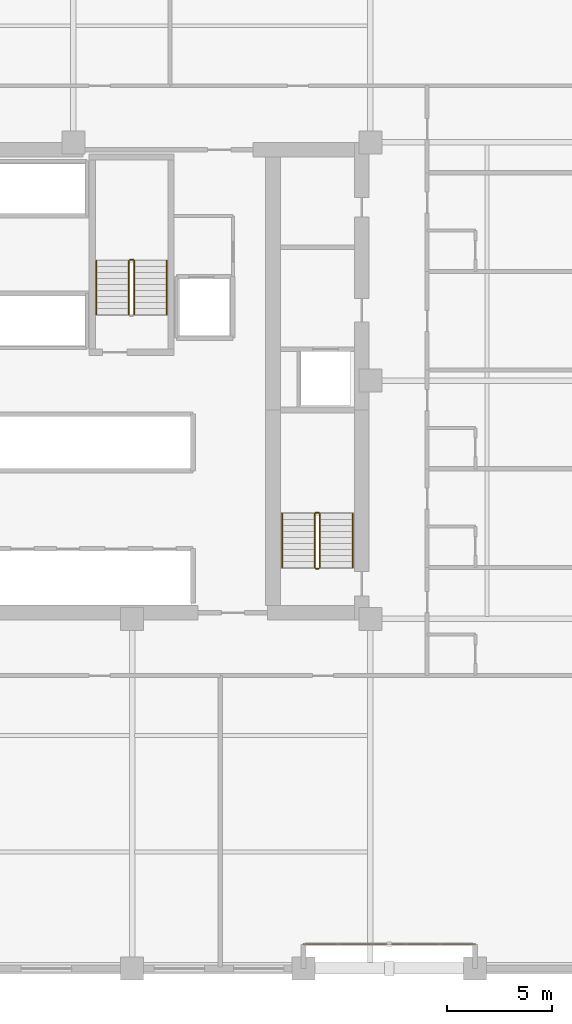
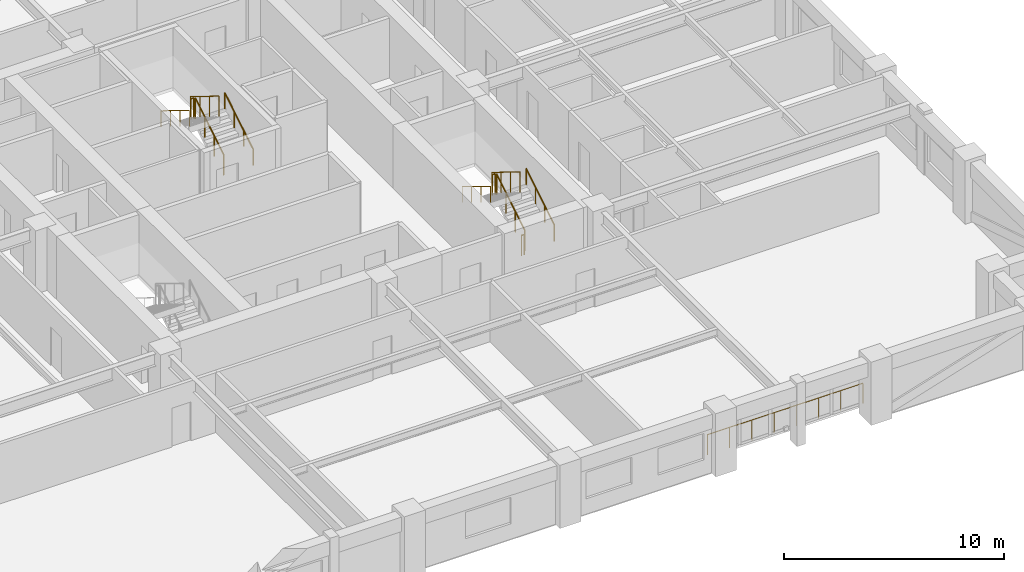
# One storey, part 9 of 9: 12 railings.
"""IFC4 building model written with IfcOpenShell, lengths in metres."""

from ifc_helpers import new_model, si_unit, direction, frame, origin, origin_2d, place, context, subcontext, project, spatial, circle, extrude, material, type_object, element, save


model = new_model("IFC4")

# Units and contexts
model_context = context("Model", 3, precision=1e-05, world=origin(), true_north=direction((0.0, 1.0)))
body_context = subcontext(model_context, "Body", "Model", "MODEL_VIEW")
ifc_project = project(units=[si_unit("LENGTHUNIT", "METRE"), si_unit("AREAUNIT", "SQUARE_METRE"), si_unit("VOLUMEUNIT", "CUBIC_METRE"), si_unit("PLANEANGLEUNIT", "RADIAN"), si_unit("MASSUNIT", "GRAM", prefix="KILO")], contexts=[model_context])

# Site, building, storey
site_placement = place(None, origin())
site = spatial("IfcSite", under=ifc_project, at=site_placement, CompositionType="ELEMENT")
building_placement = place(site_placement, origin())
building = spatial("IfcBuilding", under=site, at=building_placement, Name="Nhamokura Convention Tower", CompositionType="ELEMENT")
storey_placement = place(building_placement, frame((0.0, 0.0, 66.85009765625)))
storey = spatial("IfcBuildingStorey", under=building, at=storey_placement, Name="L15", CompositionType="ELEMENT", Elevation=66.85009765625)

# Railings
ifc_material_1 = material(Name="Anodised bronze stainless steel", Category="steel")
railing_type_1 = type_object("IfcRailingType", Name="StairWallHandrail_900", PredefinedType="HANDRAIL", material=ifc_material_1)
railing_1_placement = place(storey_placement, frame((42.5, 23.10009765625, 0.1748046875)))
element("IfcRailing", 1, at=railing_1_placement, inside=storey, type_object=railing_type_1, Name="L15 ST-02 stair handrail 1", PredefinedType="HANDRAIL", context=body_context, shape_type="SweptSolid", body=[
    extrude(circle(Radius=0.02392578125, at=origin_2d()), frame((0.0, 0.0, 0.8759765625), z_axis=(0.0, 0.85213695991, 0.523318833556), x_axis=(-1.0, 0.0, 0.0)), (0.0, 0.0, 1.0), 3.010009765625),
    extrude(circle(Radius=0.02099609375, at=origin_2d()), origin(), (0.0, 0.0, 1.0), 0.851806640625),
    extrude(circle(Radius=0.02099609375, at=origin_2d()), frame((0.0, 0.85498046875, 0.525146484375)), (0.0, 0.0, 1.0), 0.851806640625),
    extrude(circle(Radius=0.02099609375, at=origin_2d()), frame((0.0, 1.7099609375, 1.050048828125)), (0.0, 0.0, 1.0), 0.851806640625),
    extrude(circle(Radius=0.02099609375, at=origin_2d()), frame((0.0, 2.56494140625, 1.5751953125)), (0.0, 0.0, 1.0), 0.851806640625),
])
railing_2_placement = place(storey_placement, frame((39.14990234375, 25.6650390625, 1.9248046875)))
element("IfcRailing", 2, at=railing_2_placement, inside=storey, type_object=railing_type_1, Name="L15 ST-02 stair handrail 2", PredefinedType="HANDRAIL", context=body_context, shape_type="SweptSolid", body=[
    extrude(circle(Radius=0.02392578125, at=origin_2d()), frame((0.0, 0.0, 0.8759765625), z_axis=(0.0, -0.85213695991, 0.523318833556), x_axis=(1.0, 0.0, 0.0)), (0.0, 0.0, 1.0), 3.010009765625),
    extrude(circle(Radius=0.02099609375, at=origin_2d()), origin(), (0.0, 0.0, 1.0), 0.851806640625),
    extrude(circle(Radius=0.02099609375, at=origin_2d()), frame((0.0, -0.85498046875, 0.525146484375)), (0.0, 0.0, 1.0), 0.851806640625),
    extrude(circle(Radius=0.02099609375, at=origin_2d()), frame((0.0, -1.7099609375, 1.050048828125)), (0.0, 0.0, 1.0), 0.851806640625),
    extrude(circle(Radius=0.02099609375, at=origin_2d()), frame((0.0, -2.56494140625, 1.5751953125)), (0.0, 0.0, 1.0), 0.851806640625),
])
railing_3_placement = place(storey_placement, frame((33.64990234375, 35.14990234375, 0.1748046875)))
element("IfcRailing", 3, at=railing_3_placement, inside=storey, type_object=railing_type_1, Name="L15 ST-03 stair handrail 1", PredefinedType="HANDRAIL", context=body_context, shape_type="SweptSolid", body=[
    extrude(circle(Radius=0.02392578125, at=origin_2d()), frame((0.0, 0.0, 0.8759765625), z_axis=(0.0, 0.852159170481, 0.523282665646), x_axis=(-1.0, 0.0, 0.0)), (0.0, 0.0, 1.0), 3.01025390625),
    extrude(circle(Radius=0.02099609375, at=origin_2d()), origin(), (0.0, 0.0, 1.0), 0.851806640625),
    extrude(circle(Radius=0.02099609375, at=origin_2d()), frame((0.0, 0.85498046875, 0.525146484375)), (0.0, 0.0, 1.0), 0.851806640625),
    extrude(circle(Radius=0.02099609375, at=origin_2d()), frame((0.0, 1.710205078125, 1.050048828125)), (0.0, 0.0, 1.0), 0.851806640625),
    extrude(circle(Radius=0.02099609375, at=origin_2d()), frame((0.0, 2.565185546875, 1.5751953125)), (0.0, 0.0, 1.0), 0.851806640625),
])
railing_4_placement = place(storey_placement, frame((30.300048828125, 37.715087890625, 1.9248046875)))
element("IfcRailing", 4, at=railing_4_placement, inside=storey, type_object=railing_type_1, Name="L15 ST-03 stair handrail 2", PredefinedType="HANDRAIL", context=body_context, shape_type="SweptSolid", body=[
    extrude(circle(Radius=0.02392578125, at=origin_2d()), frame((0.0, 0.0, 0.8759765625), z_axis=(0.0, -0.852159170481, 0.523282665646), x_axis=(1.0, 0.0, 0.0)), (0.0, 0.0, 1.0), 3.01025390625),
    extrude(circle(Radius=0.02099609375, at=origin_2d()), origin(), (0.0, 0.0, 1.0), 0.851806640625),
    extrude(circle(Radius=0.02099609375, at=origin_2d()), frame((0.0, -0.85498046875, 0.525146484375)), (0.0, 0.0, 1.0), 0.851806640625),
    extrude(circle(Radius=0.02099609375, at=origin_2d()), frame((0.0, -1.710205078125, 1.050048828125)), (0.0, 0.0, 1.0), 0.851806640625),
    extrude(circle(Radius=0.02099609375, at=origin_2d()), frame((0.0, -2.565185546875, 1.5751953125)), (0.0, 0.0, 1.0), 0.851806640625),
])
ifc_material_2 = material(Name="Painted tubular steel", Category="steel")
railing_type_2 = type_object("IfcRailingType", Name="StairWellGuardrail_1150", PredefinedType="GUARDRAIL", material=ifc_material_2)
railing_5_placement = place(storey_placement, frame((40.949951171875, 23.10009765625, 0.1748046875)))
element("IfcRailing", 5, at=railing_5_placement, inside=storey, type_object=railing_type_2, Name="L15 ST-02 stair guard 1", PredefinedType="GUARDRAIL", context=body_context, shape_type="SweptSolid", body=[
    extrude(circle(Radius=0.02392578125, at=origin_2d()), frame((0.0, 0.0, 1.1259765625), z_axis=(0.0, 0.85213695991, 0.523318833556), x_axis=(-1.0, 0.0, 0.0)), (0.0, 0.0, 1.0), 3.010009765625),
    extrude(circle(Radius=0.02099609375, at=origin_2d()), origin(), (0.0, 0.0, 1.0), 1.101806640625),
    extrude(circle(Radius=0.02099609375, at=origin_2d()), frame((0.0, 0.85498046875, 0.525146484375)), (0.0, 0.0, 1.0), 1.101806640625),
    extrude(circle(Radius=0.02099609375, at=origin_2d()), frame((0.0, 1.7099609375, 1.050048828125)), (0.0, 0.0, 1.0), 1.101806640625),
    extrude(circle(Radius=0.02099609375, at=origin_2d()), frame((0.0, 2.56494140625, 1.5751953125)), (0.0, 0.0, 1.0), 1.101806640625),
])
railing_6_placement = place(storey_placement, frame((40.89990234375, 25.715087890625, 1.75)))
element("IfcRailing", 6, at=railing_6_placement, inside=storey, type_object=railing_type_2, Name="L15 ST-02 stair guard 2", PredefinedType="GUARDRAIL", context=body_context, shape_type="SweptSolid", body=[
    extrude(circle(Radius=0.02392578125, at=origin_2d()), frame((0.0, 0.0, 1.1259765625), z_axis=(-1.0, 0.0, 0.0), x_axis=(0.0, -1.0, 0.0)), (0.0, 0.0, 1.0), 0.14990234375),
    extrude(circle(Radius=0.02099609375, at=origin_2d()), origin(), (0.0, 0.0, 1.0), 1.101806640625),
    extrude(circle(Radius=0.02099609375, at=origin_2d()), frame((-0.14990234375, 0.0, 0.0)), (0.0, 0.0, 1.0), 1.101806640625),
])
railing_7_placement = place(storey_placement, frame((40.699951171875, 25.6650390625, 1.9248046875)))
element("IfcRailing", 7, at=railing_7_placement, inside=storey, type_object=railing_type_2, Name="L15 ST-02 stair guard 3", PredefinedType="GUARDRAIL", context=body_context, shape_type="SweptSolid", body=[
    extrude(circle(Radius=0.02392578125, at=origin_2d()), frame((0.0, 0.0, 1.1259765625), z_axis=(0.0, -0.85213695991, 0.523318833556), x_axis=(1.0, 0.0, 0.0)), (0.0, 0.0, 1.0), 3.010009765625),
    extrude(circle(Radius=0.02099609375, at=origin_2d()), origin(), (0.0, 0.0, 1.0), 1.101806640625),
    extrude(circle(Radius=0.02099609375, at=origin_2d()), frame((0.0, -0.85498046875, 0.525146484375)), (0.0, 0.0, 1.0), 1.101806640625),
    extrude(circle(Radius=0.02099609375, at=origin_2d()), frame((0.0, -1.7099609375, 1.050048828125)), (0.0, 0.0, 1.0), 1.101806640625),
    extrude(circle(Radius=0.02099609375, at=origin_2d()), frame((0.0, -2.56494140625, 1.5751953125)), (0.0, 0.0, 1.0), 1.101806640625),
])
railing_8_placement = place(storey_placement, frame((40.89990234375, 23.050048828125, 0.0)))
element("IfcRailing", 8, at=railing_8_placement, inside=storey, type_object=railing_type_2, Name="L15 ST-02 stair guard 4", PredefinedType="GUARDRAIL", context=body_context, shape_type="SweptSolid", body=[
    extrude(circle(Radius=0.02392578125, at=origin_2d()), frame((0.0, 0.0, 1.1259765625), z_axis=(-1.0, 0.0, 0.0), x_axis=(0.0, -1.0, 0.0)), (0.0, 0.0, 1.0), 0.14990234375),
    extrude(circle(Radius=0.02099609375, at=origin_2d()), origin(), (0.0, 0.0, 1.0), 1.101806640625),
    extrude(circle(Radius=0.02099609375, at=origin_2d()), frame((-0.14990234375, 0.0, 0.0)), (0.0, 0.0, 1.0), 1.101806640625),
])
railing_9_placement = place(storey_placement, frame((32.10009765625, 35.14990234375, 0.1748046875)))
element("IfcRailing", 9, at=railing_9_placement, inside=storey, type_object=railing_type_2, Name="L15 ST-03 stair guard 1", PredefinedType="GUARDRAIL", context=body_context, shape_type="SweptSolid", body=[
    extrude(circle(Radius=0.02392578125, at=origin_2d()), frame((0.0, 0.0, 1.1259765625), z_axis=(0.0, 0.852159170481, 0.523282665646), x_axis=(-1.0, 0.0, 0.0)), (0.0, 0.0, 1.0), 3.01025390625),
    extrude(circle(Radius=0.02099609375, at=origin_2d()), origin(), (0.0, 0.0, 1.0), 1.101806640625),
    extrude(circle(Radius=0.02099609375, at=origin_2d()), frame((0.0, 0.85498046875, 0.525146484375)), (0.0, 0.0, 1.0), 1.101806640625),
    extrude(circle(Radius=0.02099609375, at=origin_2d()), frame((0.0, 1.710205078125, 1.050048828125)), (0.0, 0.0, 1.0), 1.101806640625),
    extrude(circle(Radius=0.02099609375, at=origin_2d()), frame((0.0, 2.565185546875, 1.5751953125)), (0.0, 0.0, 1.0), 1.101806640625),
])
railing_10_placement = place(storey_placement, frame((32.050048828125, 37.764892578125, 1.75)))
element("IfcRailing", 10, at=railing_10_placement, inside=storey, type_object=railing_type_2, Name="L15 ST-03 stair guard 2", PredefinedType="GUARDRAIL", context=body_context, shape_type="SweptSolid", body=[
    extrude(circle(Radius=0.02392578125, at=origin_2d()), frame((0.0, 0.0, 1.1259765625), z_axis=(-1.0, 0.0, 0.0), x_axis=(0.0, -1.0, 0.0)), (0.0, 0.0, 1.0), 0.150146484375),
    extrude(circle(Radius=0.02099609375, at=origin_2d()), origin(), (0.0, 0.0, 1.0), 1.101806640625),
    extrude(circle(Radius=0.02099609375, at=origin_2d()), frame((-0.150146484375, 0.0, 0.0)), (0.0, 0.0, 1.0), 1.101806640625),
])
railing_11_placement = place(storey_placement, frame((31.85009765625, 37.715087890625, 1.9248046875)))
element("IfcRailing", 11, at=railing_11_placement, inside=storey, type_object=railing_type_2, Name="L15 ST-03 stair guard 3", PredefinedType="GUARDRAIL", context=body_context, shape_type="SweptSolid", body=[
    extrude(circle(Radius=0.02392578125, at=origin_2d()), frame((0.0, 0.0, 1.1259765625), z_axis=(0.0, -0.852159170481, 0.523282665646), x_axis=(1.0, 0.0, 0.0)), (0.0, 0.0, 1.0), 3.01025390625),
    extrude(circle(Radius=0.02099609375, at=origin_2d()), origin(), (0.0, 0.0, 1.0), 1.101806640625),
    extrude(circle(Radius=0.02099609375, at=origin_2d()), frame((0.0, -0.85498046875, 0.525146484375)), (0.0, 0.0, 1.0), 1.101806640625),
    extrude(circle(Radius=0.02099609375, at=origin_2d()), frame((0.0, -1.710205078125, 1.050048828125)), (0.0, 0.0, 1.0), 1.101806640625),
    extrude(circle(Radius=0.02099609375, at=origin_2d()), frame((0.0, -2.565185546875, 1.5751953125)), (0.0, 0.0, 1.0), 1.101806640625),
])
ifc_material_3 = material(Name="Anodised bronze stainless steel", Category="steel")
railing_type_3 = type_object("IfcRailingType", Name="TerraceGuardrail_1150", PredefinedType="GUARDRAIL", material=ifc_material_3)
railing_12_placement = place(storey_placement, frame((48.333251953125, 5.14990234375, 0.0)))
element("IfcRailing", 12, at=railing_12_placement, inside=storey, type_object=railing_type_3, Name="L15 Scale-Slot Edge Guardrail SOUTH 4", PredefinedType="GUARDRAIL", context=body_context, shape_type="SweptSolid", body=[
    extrude(circle(Radius=0.02392578125, at=origin_2d()), frame((0.0, 0.0, 1.1259765625), z_axis=(-1.0, 0.0, 0.0), x_axis=(0.0, -1.0, 0.0)), (0.0, 0.0, 1.0), 8.16650390625),
    extrude(circle(Radius=0.02099609375, at=origin_2d()), origin(), (0.0, 0.0, 1.0), 1.101806640625),
    extrude(circle(Radius=0.02099609375, at=origin_2d()), frame((-1.166748046875, 0.0, 0.0)), (0.0, 0.0, 1.0), 1.101806640625),
    extrude(circle(Radius=0.02099609375, at=origin_2d()), frame((-2.333251953125, 0.0, 0.0)), (0.0, 0.0, 1.0), 1.101806640625),
    extrude(circle(Radius=0.02099609375, at=origin_2d()), frame((-3.5, 0.0, 0.0)), (0.0, 0.0, 1.0), 1.101806640625),
    extrude(circle(Radius=0.02099609375, at=origin_2d()), frame((-4.66650390625, 0.0, 0.0)), (0.0, 0.0, 1.0), 1.101806640625),
    extrude(circle(Radius=0.02099609375, at=origin_2d()), frame((-5.833251953125, 0.0, 0.0)), (0.0, 0.0, 1.0), 1.101806640625),
    extrude(circle(Radius=0.02099609375, at=origin_2d()), frame((-6.999755859375, 0.0, 0.0)), (0.0, 0.0, 1.0), 1.101806640625),
    extrude(circle(Radius=0.02099609375, at=origin_2d()), frame((-8.16650390625, 0.0, 0.0)), (0.0, 0.0, 1.0), 1.101806640625),
])

save(model, "model.ifc")
